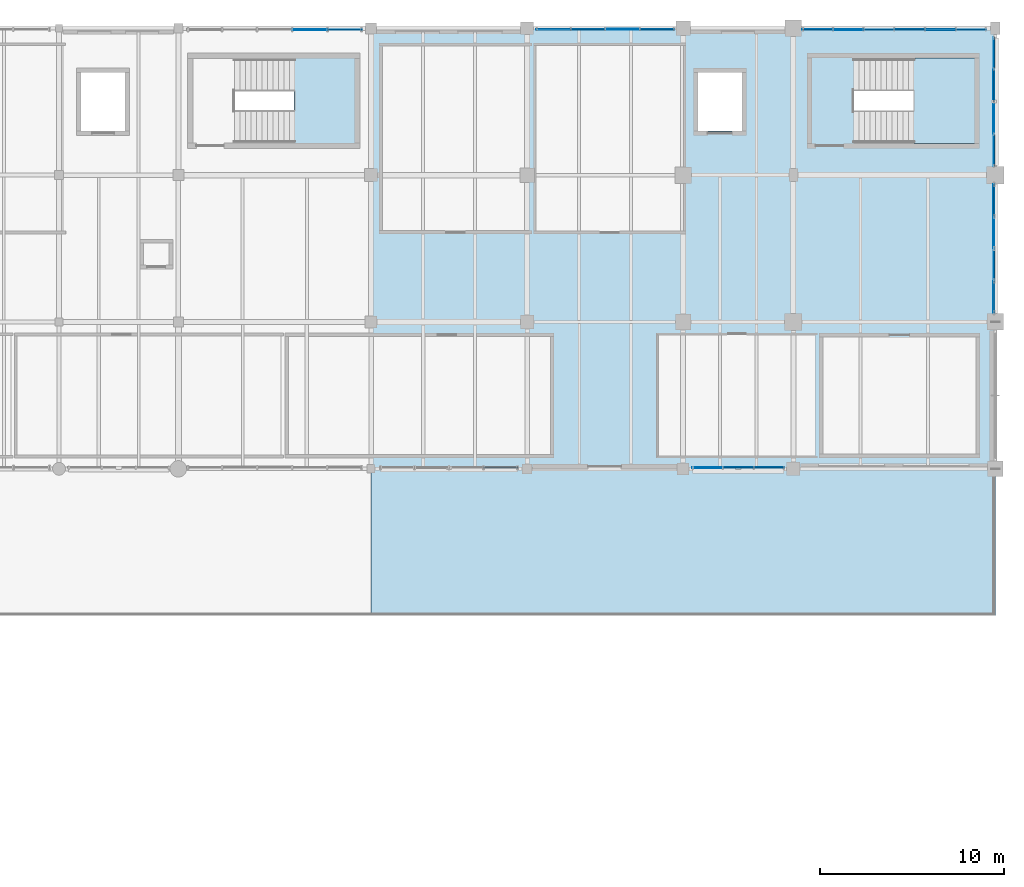
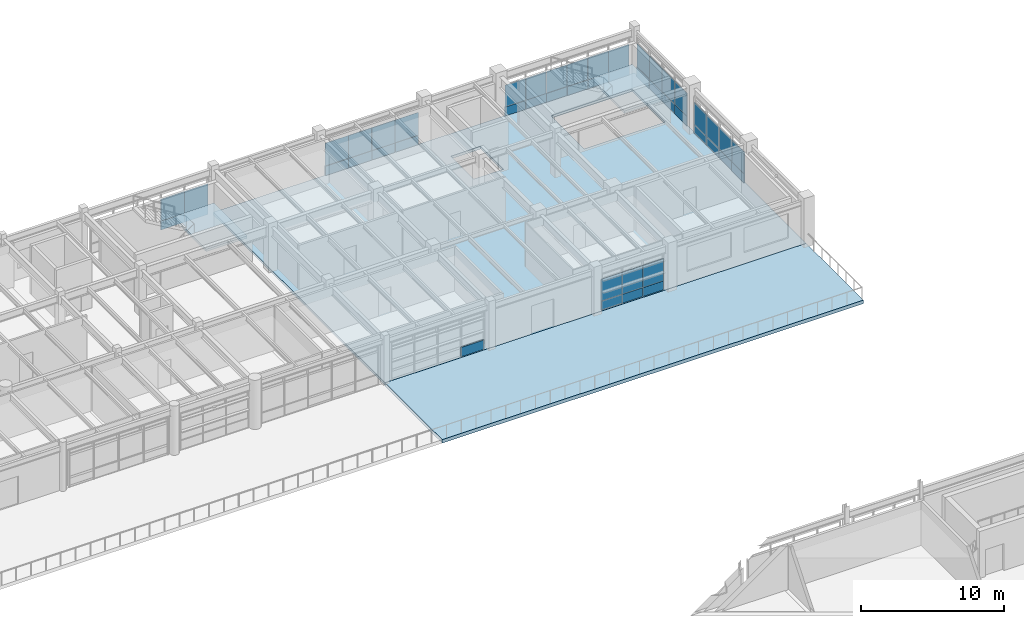
# One storey, part 45 of 56: 47 plates, 4 slabs, 9 elements without a shape of their own.
"""IFC4 building model written with IfcOpenShell, lengths in metres."""

from ifc_helpers import new_model, si_unit, direction, frame, origin, origin_2d, place, context, subcontext, project, spatial, polyline, rectangle, outline, extrude, material, layer, layer_set, type_object, element, aggregate, save


model = new_model("IFC4")

# Units and contexts
model_context = context("Model", 3, precision=1e-05, world=origin(), true_north=direction((0.0, 1.0)))
body_context = subcontext(model_context, "Body", "Model", "MODEL_VIEW")
ifc_project = project(units=[si_unit("LENGTHUNIT", "METRE"), si_unit("AREAUNIT", "SQUARE_METRE"), si_unit("VOLUMEUNIT", "CUBIC_METRE"), si_unit("PLANEANGLEUNIT", "RADIAN"), si_unit("MASSUNIT", "GRAM", prefix="KILO"), si_unit("THERMODYNAMICTEMPERATUREUNIT", "KELVIN"), si_unit("POWERUNIT", "WATT")], contexts=[model_context])

# Site, building, storey
site_placement = place(None, origin())
site = spatial("IfcSite", under=ifc_project, at=site_placement, CompositionType="ELEMENT")
building_placement = place(site_placement, origin())
building = spatial("IfcBuilding", under=site, at=building_placement, Name="Tepalcoro Natatorium and Aquatics Centre", CompositionType="ELEMENT")
storey_placement = place(building_placement, frame((0.0, 0.0, 14.800048828125)))
storey = spatial("IfcBuildingStorey", under=building, at=storey_placement, Name="L03", CompositionType="ELEMENT", Elevation=14.800048828125)

# Curtain wall, plate
ifc_material_1 = material(Name="Bronze-Anodised Extruded Aluminium Alloy EN AW-6063 T6", Category="aluminium")
curtain_wall_type_1 = type_object("IfcCurtainWallType", Name="CW_LEAN_T1_EW", PredefinedType="USERDEFINED", material=ifc_material_1)
curtain_wall_1_placement = place(storey_placement, origin())
curtain_wall_1 = element("IfcCurtainWall", 1, at=curtain_wall_1_placement, inside=storey, type_object=curtain_wall_type_1, Name="V5 L03 S Unitised Curtain Wall Bay 7", ObjectType="FACETED SOLAR GLAZING", PredefinedType="USERDEFINED")
ifc_material_2 = material(Name="Solar-Control Bronze Tempered Low-E Double Glazing", Category="glass")
ifc_layer_1 = layer(ifc_material_2, 0.048095703125)
ifc_layer_set_1 = layer_set([ifc_layer_1], Name="Solar-Control Bronze Tempered Low-E Double Glazing")
plate_type_1 = type_object("IfcPlateType", Name="PL_ACOUSTIC_IGU_48", PredefinedType="CURTAIN_PANEL", material=ifc_layer_set_1)
plate_1_placement = place(storey_placement, frame((163.679931640625, 94.0712890625, 0.804443359375), z_axis=(0.0, 0.0, 1.0), x_axis=(1.0, 0.0, 0.0)))
plate_1 = element("IfcPlate", 2, at=plate_1_placement, type_object=plate_type_1, Name="CW_LEAN_T1_EW Insulated Glazing Unit", PredefinedType="CURTAIN_PANEL", context=body_context, shape_type="SweptSolid", body=[
    extrude(rectangle(XDim=1.659912109375, YDim=0.048095703125, at=origin_2d()), origin(), (0.0, 0.0, 1.0), 1.85498046875),
])

curtain_wall_type_2 = type_object("IfcCurtainWallType", Name="CW_LEAN_T2_EW", PredefinedType="USERDEFINED", material=ifc_material_1)
curtain_wall_2_placement = place(storey_placement, origin())
curtain_wall_2 = element("IfcCurtainWall", 3, at=curtain_wall_2_placement, inside=storey, type_object=curtain_wall_type_2, Name="V5 L03 N Unitised Curtain Wall Bay 4", ObjectType="FACETED SOLAR GLAZING", PredefinedType="USERDEFINED")
plate_2_placement = place(storey_placement, frame((138.657958984375, 117.919921875, 0.804443359375), z_axis=(0.0, 0.0, 1.0), x_axis=(1.0, 0.0, 0.0)))
plate_2 = element("IfcPlate", 4, at=plate_2_placement, type_object=plate_type_1, Name="CW_LEAN_T2_EW Insulated Glazing Unit", PredefinedType="CURTAIN_PANEL", context=body_context, shape_type="SweptSolid", body=[
    extrude(rectangle(XDim=1.887939453125, YDim=0.048095703125, at=origin_2d()), origin(), (0.0, 0.0, 1.0), 1.85498046875),
])

curtain_wall_type_3 = type_object("IfcCurtainWallType", Name="CW_V2_DIVING", PredefinedType="USERDEFINED", material=ifc_material_1)
curtain_wall_3_placement = place(storey_placement, origin())
curtain_wall_3 = element("IfcCurtainWall", 5, at=curtain_wall_3_placement, inside=storey, type_object=curtain_wall_type_3, Name="V5 L03 N Unitised Curtain Wall Bay 6", ObjectType="FACETED SOLAR GLAZING", PredefinedType="USERDEFINED")
plate_3_placement = place(storey_placement, frame((155.6923828125, 117.93505859375, 0.84228515625), z_axis=(0.0, 0.0, 1.0), x_axis=(1.0, 0.0, 0.0)))
plate_3 = element("IfcPlate", 6, at=plate_3_placement, type_object=plate_type_1, Name="CW_V2_DIVING Insulated Glazing Unit", PredefinedType="CURTAIN_PANEL", context=body_context, shape_type="SweptSolid", body=[
    extrude(rectangle(XDim=1.864990234375, YDim=0.048095703125, at=origin_2d()), origin(), (0.0, 0.0, 1.0), 1.944580078125),
])

# Curtain wall, plates
curtain_wall_type_4 = type_object("IfcCurtainWallType", Name="CW_V4_VILLAGE", PredefinedType="USERDEFINED", material=ifc_material_1)
curtain_wall_4_placement = place(storey_placement, origin())
curtain_wall_4 = element("IfcCurtainWall", 7, at=curtain_wall_4_placement, inside=storey, type_object=curtain_wall_type_4, Name="V5 L03 N Unitised Curtain Wall Bay 8", ObjectType="UNITISED STOREFRONT", PredefinedType="USERDEFINED")
plate_4_placement = place(storey_placement, frame((167.989990234375, 117.923828125, 0.804443359375), z_axis=(0.0, 0.0, 1.0), x_axis=(1.0, 0.0, 0.0)))
plate_4 = element("IfcPlate", 8, at=plate_4_placement, type_object=plate_type_1, Name="CW_V4_VILLAGE Insulated Glazing Unit", PredefinedType="CURTAIN_PANEL", context=body_context, shape_type="SweptSolid", body=[
    extrude(rectangle(XDim=1.6533203125, YDim=0.048095703125, at=origin_2d()), origin(), (0.0, 0.0, 1.0), 1.85498046875),
])
plate_5_placement = place(storey_placement, frame((173.010009765625, 117.923828125, 0.804443359375), z_axis=(0.0, 0.0, 1.0), x_axis=(1.0, 0.0, 0.0)))
plate_5 = element("IfcPlate", 9, at=plate_5_placement, type_object=plate_type_1, Name="CW_V4_VILLAGE Insulated Glazing Unit", PredefinedType="CURTAIN_PANEL", context=body_context, shape_type="SweptSolid", body=[
    extrude(rectangle(XDim=1.6533203125, YDim=0.048095703125, at=origin_2d()), origin(), (0.0, 0.0, 1.0), 1.85498046875),
])

curtain_wall_type_5 = type_object("IfcCurtainWallType", Name="CW_LEAN_T2_NS", PredefinedType="USERDEFINED", material=ifc_material_1)
curtain_wall_5_placement = place(storey_placement, origin())
curtain_wall_5 = element("IfcCurtainWall", 10, at=curtain_wall_5_placement, inside=storey, type_object=curtain_wall_type_5, Name="V5 L03 E Unitised Curtain Wall Bay 2", ObjectType="FACETED SOLAR GLAZING", PredefinedType="USERDEFINED")
plate_6_placement = place(storey_placement, frame((175.923828125, 103.360107421875, 0.804443359375), z_axis=(0.0, 0.0, 1.0), x_axis=(1.0, 0.0, 0.0)))
plate_6 = element("IfcPlate", 11, at=plate_6_placement, type_object=plate_type_1, Name="CW_LEAN_T2_NS Insulated Glazing Unit", PredefinedType="CURTAIN_PANEL", context=body_context, shape_type="SweptSolid", body=[
    extrude(rectangle(XDim=0.048095703125, YDim=1.739990234375, at=origin_2d()), origin(), (0.0, 0.0, 1.0), 1.85498046875),
])
plate_7_placement = place(storey_placement, frame((175.923828125, 108.639892578125, 0.804443359375), z_axis=(0.0, 0.0, 1.0), x_axis=(1.0, 0.0, 0.0)))
plate_7 = element("IfcPlate", 12, at=plate_7_placement, type_object=plate_type_1, Name="CW_LEAN_T2_NS Insulated Glazing Unit", PredefinedType="CURTAIN_PANEL", context=body_context, shape_type="SweptSolid", body=[
    extrude(rectangle(XDim=0.048095703125, YDim=1.739990234375, at=origin_2d()), origin(), (0.0, 0.0, 1.0), 1.85498046875),
])

# Curtain wall, plate
curtain_wall_6_placement = place(storey_placement, origin())
curtain_wall_6 = element("IfcCurtainWall", 13, at=curtain_wall_6_placement, inside=storey, type_object=curtain_wall_type_2, Name="V5 L03 E Unitised Curtain Wall Bay 3", ObjectType="FACETED SOLAR GLAZING", PredefinedType="USERDEFINED")
plate_8_placement = place(storey_placement, frame((175.923828125, 114.8798828125, 0.85400390625), z_axis=(0.0, 0.0, 1.0), x_axis=(1.0, 0.0, 0.0)))
plate_8 = element("IfcPlate", 14, at=plate_8_placement, type_object=plate_type_1, Name="CW_LEAN_T2_EW Insulated Glazing Unit", PredefinedType="CURTAIN_PANEL", context=body_context, shape_type="SweptSolid", body=[
    extrude(rectangle(XDim=0.048095703125, YDim=1.739990234375, at=origin_2d()), origin(), (0.0, 0.0, 1.0), 1.972412109375),
])

# Plate
ifc_layer_2 = layer(ifc_material_2, 0.028076171875)
ifc_layer_set_2 = layer_set([ifc_layer_2], Name="Solar-Control Bronze Tempered Low-E Double Glazing")
plate_type_2 = type_object("IfcPlateType", Name="PL_BRONZE_IGU_28", PredefinedType="CURTAIN_PANEL", material=ifc_layer_set_2)
plate_9_placement = place(storey_placement, frame((162.0, 94.0712890625, 0.804443359375), z_axis=(0.0, 0.0, 1.0), x_axis=(1.0, 0.0, 0.0)))
plate_9 = element("IfcPlate", 15, at=plate_9_placement, type_object=plate_type_2, Name="CW_LEAN_T1_EW Insulated Glazing Unit", PredefinedType="CURTAIN_PANEL", context=body_context, shape_type="SweptSolid", body=[
    extrude(rectangle(XDim=1.659912109375, YDim=0.028076171875, at=origin_2d()), origin(), (0.0, 0.0, 1.0), 1.85498046875),
])

plate_10_placement = place(storey_placement, frame((153.8076171875, 117.93505859375, 0.84228515625), z_axis=(0.0, 0.0, 1.0), x_axis=(1.0, 0.0, 0.0)))
plate_10 = element("IfcPlate", 16, at=plate_10_placement, type_object=plate_type_2, Name="CW_V2_DIVING Insulated Glazing Unit", PredefinedType="CURTAIN_PANEL", context=body_context, shape_type="SweptSolid", body=[
    extrude(rectangle(XDim=1.864990234375, YDim=0.028076171875, at=origin_2d()), origin(), (0.0, 0.0, 1.0), 1.944580078125),
])

plate_11_placement = place(storey_placement, frame((166.316650390625, 117.923828125, 0.804443359375), z_axis=(0.0, 0.0, 1.0), x_axis=(1.0, 0.0, 0.0)))
plate_11 = element("IfcPlate", 17, at=plate_11_placement, type_object=plate_type_2, Name="CW_V4_VILLAGE Insulated Glazing Unit", PredefinedType="CURTAIN_PANEL", context=body_context, shape_type="SweptSolid", body=[
    extrude(rectangle(XDim=1.6533203125, YDim=0.028076171875, at=origin_2d()), origin(), (0.0, 0.0, 1.0), 1.85498046875),
])

plate_12_placement = place(storey_placement, frame((171.336669921875, 117.923828125, 0.804443359375), z_axis=(0.0, 0.0, 1.0), x_axis=(1.0, 0.0, 0.0)))
plate_12 = element("IfcPlate", 18, at=plate_12_placement, type_object=plate_type_2, Name="CW_V4_VILLAGE Insulated Glazing Unit", PredefinedType="CURTAIN_PANEL", context=body_context, shape_type="SweptSolid", body=[
    extrude(rectangle(XDim=1.6533203125, YDim=0.028076171875, at=origin_2d()), origin(), (0.0, 0.0, 1.0), 1.85498046875),
])

plate_13_placement = place(storey_placement, frame((175.923828125, 106.8798828125, 0.804443359375), z_axis=(0.0, 0.0, 1.0), x_axis=(1.0, 0.0, 0.0)))
plate_13 = element("IfcPlate", 19, at=plate_13_placement, type_object=plate_type_2, Name="CW_LEAN_T2_NS Insulated Glazing Unit", PredefinedType="CURTAIN_PANEL", context=body_context, shape_type="SweptSolid", body=[
    extrude(rectangle(XDim=0.028076171875, YDim=1.739990234375, at=origin_2d()), origin(), (0.0, 0.0, 1.0), 1.85498046875),
])

plate_14_placement = place(storey_placement, frame((175.923828125, 113.1201171875, 0.85400390625), z_axis=(0.0, 0.0, 1.0), x_axis=(1.0, 0.0, 0.0)))
plate_14 = element("IfcPlate", 20, at=plate_14_placement, type_object=plate_type_2, Name="CW_LEAN_T2_EW Insulated Glazing Unit", PredefinedType="CURTAIN_PANEL", context=body_context, shape_type="SweptSolid", body=[
    extrude(rectangle(XDim=0.028076171875, YDim=1.739990234375, at=origin_2d()), origin(), (0.0, 0.0, 1.0), 1.972412109375),
])

# Curtain wall, plate
curtain_wall_type_6 = type_object("IfcCurtainWallType", Name="CW_V5_UPPER", PredefinedType="USERDEFINED", material=ifc_material_1)
curtain_wall_7_placement = place(storey_placement, origin())
curtain_wall_7 = element("IfcCurtainWall", 21, at=curtain_wall_7_placement, inside=storey, type_object=curtain_wall_type_6, Name="V5 L03 S Unitised Curtain Wall Bay 5", ObjectType="FACETED SOLAR GLAZING", PredefinedType="USERDEFINED")
ifc_material_3 = material(Name="Jalisco Cantera Rosa Volcanic Tuff Ashlar Masonry", Category="masonry")
ifc_layer_3 = layer(ifc_material_3, 0.090087890625)
ifc_layer_set_3 = layer_set([ifc_layer_3], Name="Jalisco Cantera Rosa Volcanic Tuff Ashlar Masonry")
plate_type_3 = type_object("IfcPlateType", Name="PL_CANTERA_90", PredefinedType="SHEET", material=ifc_layer_set_3)
plate_15_placement = place(storey_placement, frame((149.077392578125, 94.0712890625, 0.044921875), z_axis=(0.0, 0.0, 1.0), x_axis=(1.0, 0.0, 0.0)))
plate_15 = element("IfcPlate", 22, at=plate_15_placement, type_object=plate_type_3, Name="CW_V5_UPPER Spandrel & Screen Panel", PredefinedType="SHEET", context=body_context, shape_type="SweptSolid", body=[
    extrude(rectangle(XDim=1.864990234375, YDim=0.090087890625, at=origin_2d()), origin(), (0.0, 0.0, 1.0), 0.79248046875),
])
aggregate(curtain_wall_7, [plate_15])

# Plate
plate_16_placement = place(storey_placement, frame((163.679931640625, 94.0712890625, 0.044921875), z_axis=(0.0, 0.0, 1.0), x_axis=(1.0, 0.0, 0.0)))
plate_16 = element("IfcPlate", 23, at=plate_16_placement, type_object=plate_type_3, Name="CW_LEAN_T1_EW Spandrel & Screen Panel", PredefinedType="SHEET", context=body_context, shape_type="SweptSolid", body=[
    extrude(rectangle(XDim=1.659912109375, YDim=0.090087890625, at=origin_2d()), origin(), (0.0, 0.0, 1.0), 0.75439453125),
])

plate_17_placement = place(storey_placement, frame((171.336669921875, 117.923828125, 0.044921875), z_axis=(0.0, 0.0, 1.0), x_axis=(1.0, 0.0, 0.0)))
plate_17 = element("IfcPlate", 24, at=plate_17_placement, type_object=plate_type_3, Name="CW_V4_VILLAGE Spandrel & Screen Panel", PredefinedType="SHEET", context=body_context, shape_type="SweptSolid", body=[
    extrude(rectangle(XDim=1.6533203125, YDim=0.090087890625, at=origin_2d()), origin(), (0.0, 0.0, 1.0), 0.75439453125),
])

plate_18_placement = place(storey_placement, frame((175.923828125, 116.639892578125, 0.044921875), z_axis=(0.0, 0.0, 1.0), x_axis=(1.0, 0.0, 0.0)))
plate_18 = element("IfcPlate", 25, at=plate_18_placement, type_object=plate_type_3, Name="CW_LEAN_T2_EW Spandrel & Screen Panel", PredefinedType="SHEET", context=body_context, shape_type="SweptSolid", body=[
    extrude(rectangle(XDim=0.090087890625, YDim=1.739990234375, at=origin_2d()), origin(), (0.0, 0.0, 1.0), 0.80419921875),
])

ifc_material_4 = material(Name="Clear Tempered Low-E Safety Glazing", Category="glass")
ifc_layer_4 = layer(ifc_material_4, 0.011962890625)
ifc_layer_set_4 = layer_set([ifc_layer_4], Name="Clear Tempered Low-E Safety Glazing")
plate_type_4 = type_object("IfcPlateType", Name="PL_GLASS_12", PredefinedType="CURTAIN_PANEL", material=ifc_layer_set_4)
plate_19_placement = place(storey_placement, frame((160.320068359375, 94.0712890625, 0.804443359375), z_axis=(0.0, 0.0, 1.0), x_axis=(1.0, 0.0, 0.0)))
plate_19 = element("IfcPlate", 26, at=plate_19_placement, type_object=plate_type_4, Name="CW_LEAN_T1_EW Insulated Glazing Unit", PredefinedType="CURTAIN_PANEL", context=body_context, shape_type="SweptSolid", body=[
    extrude(rectangle(XDim=1.659912109375, YDim=0.011962890625, at=origin_2d()), origin(), (0.0, 0.0, 1.0), 1.85498046875),
])

plate_20_placement = place(storey_placement, frame((140.56591796875, 117.919921875, 0.804443359375), z_axis=(0.0, 0.0, 1.0), x_axis=(1.0, 0.0, 0.0)))
plate_20 = element("IfcPlate", 27, at=plate_20_placement, type_object=plate_type_4, Name="CW_LEAN_T2_EW Insulated Glazing Unit", PredefinedType="CURTAIN_PANEL", context=body_context, shape_type="SweptSolid", body=[
    extrude(rectangle(XDim=1.887939453125, YDim=0.011962890625, at=origin_2d()), origin(), (0.0, 0.0, 1.0), 1.85498046875),
])

plate_21_placement = place(storey_placement, frame((151.922607421875, 117.93505859375, 0.84228515625), z_axis=(0.0, 0.0, 1.0), x_axis=(1.0, 0.0, 0.0)))
plate_21 = element("IfcPlate", 28, at=plate_21_placement, type_object=plate_type_4, Name="CW_V2_DIVING Insulated Glazing Unit", PredefinedType="CURTAIN_PANEL", context=body_context, shape_type="SweptSolid", body=[
    extrude(rectangle(XDim=1.864990234375, YDim=0.011962890625, at=origin_2d()), origin(), (0.0, 0.0, 1.0), 1.944580078125),
])

plate_22_placement = place(storey_placement, frame((157.577392578125, 117.93505859375, 0.84228515625), z_axis=(0.0, 0.0, 1.0), x_axis=(1.0, 0.0, 0.0)))
plate_22 = element("IfcPlate", 29, at=plate_22_placement, type_object=plate_type_4, Name="CW_V2_DIVING Insulated Glazing Unit", PredefinedType="CURTAIN_PANEL", context=body_context, shape_type="SweptSolid", body=[
    extrude(rectangle(XDim=1.864990234375, YDim=0.011962890625, at=origin_2d()), origin(), (0.0, 0.0, 1.0), 1.944580078125),
])

plate_23_placement = place(storey_placement, frame((169.663330078125, 117.923828125, 0.804443359375), z_axis=(0.0, 0.0, 1.0), x_axis=(1.0, 0.0, 0.0)))
plate_23 = element("IfcPlate", 30, at=plate_23_placement, type_object=plate_type_4, Name="CW_V4_VILLAGE Insulated Glazing Unit", PredefinedType="CURTAIN_PANEL", context=body_context, shape_type="SweptSolid", body=[
    extrude(rectangle(XDim=1.6533203125, YDim=0.011962890625, at=origin_2d()), origin(), (0.0, 0.0, 1.0), 1.85498046875),
])

plate_24_placement = place(storey_placement, frame((174.683349609375, 117.923828125, 0.804443359375), z_axis=(0.0, 0.0, 1.0), x_axis=(1.0, 0.0, 0.0)))
plate_24 = element("IfcPlate", 31, at=plate_24_placement, type_object=plate_type_4, Name="CW_V4_VILLAGE Insulated Glazing Unit", PredefinedType="CURTAIN_PANEL", context=body_context, shape_type="SweptSolid", body=[
    extrude(rectangle(XDim=1.6533203125, YDim=0.011962890625, at=origin_2d()), origin(), (0.0, 0.0, 1.0), 1.85498046875),
])

plate_25_placement = place(storey_placement, frame((175.923828125, 105.1201171875, 0.804443359375), z_axis=(0.0, 0.0, 1.0), x_axis=(1.0, 0.0, 0.0)))
plate_25 = element("IfcPlate", 32, at=plate_25_placement, type_object=plate_type_4, Name="CW_LEAN_T2_NS Insulated Glazing Unit", PredefinedType="CURTAIN_PANEL", context=body_context, shape_type="SweptSolid", body=[
    extrude(rectangle(XDim=0.011962890625, YDim=1.739990234375, at=origin_2d()), origin(), (0.0, 0.0, 1.0), 1.85498046875),
])

plate_26_placement = place(storey_placement, frame((175.923828125, 111.360107421875, 0.85400390625), z_axis=(0.0, 0.0, 1.0), x_axis=(1.0, 0.0, 0.0)))
plate_26 = element("IfcPlate", 33, at=plate_26_placement, type_object=plate_type_4, Name="CW_LEAN_T2_EW Insulated Glazing Unit", PredefinedType="CURTAIN_PANEL", context=body_context, shape_type="SweptSolid", body=[
    extrude(rectangle(XDim=0.011962890625, YDim=1.739990234375, at=origin_2d()), origin(), (0.0, 0.0, 1.0), 1.972412109375),
])

plate_27_placement = place(storey_placement, frame((175.923828125, 116.639892578125, 0.85400390625), z_axis=(0.0, 0.0, 1.0), x_axis=(1.0, 0.0, 0.0)))
plate_27 = element("IfcPlate", 34, at=plate_27_placement, type_object=plate_type_4, Name="CW_LEAN_T2_EW Insulated Glazing Unit", PredefinedType="CURTAIN_PANEL", context=body_context, shape_type="SweptSolid", body=[
    extrude(rectangle(XDim=0.011962890625, YDim=1.739990234375, at=origin_2d()), origin(), (0.0, 0.0, 1.0), 1.972412109375),
])

ifc_material_5 = material(Name="Volcanic Recinto Basalt Ashlar Masonry", Category="masonry")
ifc_layer_5 = layer(ifc_material_5, 0.110107421875)
ifc_layer_set_5 = layer_set([ifc_layer_5], Name="Volcanic Recinto Basalt Ashlar Masonry")
plate_type_5 = type_object("IfcPlateType", Name="PL_RECINTO_110", PredefinedType="SHEET", material=ifc_layer_set_5)
plate_28_placement = place(storey_placement, frame((151.922607421875, 117.93505859375, 0.044921875), z_axis=(0.0, 0.0, 1.0), x_axis=(1.0, 0.0, 0.0)))
plate_28 = element("IfcPlate", 35, at=plate_28_placement, type_object=plate_type_5, Name="CW_V2_DIVING Spandrel & Screen Panel", PredefinedType="SHEET", context=body_context, shape_type="SweptSolid", body=[
    extrude(rectangle(XDim=1.864990234375, YDim=0.110107421875, at=origin_2d()), origin(), (0.0, 0.0, 1.0), 0.79248046875),
])

plate_29_placement = place(storey_placement, frame((173.010009765625, 117.923828125, 0.044921875), z_axis=(0.0, 0.0, 1.0), x_axis=(1.0, 0.0, 0.0)))
plate_29 = element("IfcPlate", 36, at=plate_29_placement, type_object=plate_type_5, Name="CW_V4_VILLAGE Spandrel & Screen Panel", PredefinedType="SHEET", context=body_context, shape_type="SweptSolid", body=[
    extrude(rectangle(XDim=1.6533203125, YDim=0.110107421875, at=origin_2d()), origin(), (0.0, 0.0, 1.0), 0.75439453125),
])

plate_30_placement = place(storey_placement, frame((175.923828125, 103.360107421875, 0.044921875), z_axis=(0.0, 0.0, 1.0), x_axis=(1.0, 0.0, 0.0)))
plate_30 = element("IfcPlate", 37, at=plate_30_placement, type_object=plate_type_5, Name="CW_LEAN_T2_NS Spandrel & Screen Panel", PredefinedType="SHEET", context=body_context, shape_type="SweptSolid", body=[
    extrude(rectangle(XDim=0.110107421875, YDim=1.739990234375, at=origin_2d()), origin(), (0.0, 0.0, 1.0), 0.75439453125),
])

ifc_layer_6 = layer(ifc_material_1, 0.050048828125)
ifc_layer_set_6 = layer_set([ifc_layer_6], Name="Bronze-Anodised Extruded Aluminium Alloy EN AW-6063 T6")
plate_type_6 = type_object("IfcPlateType", Name="PL_SCREEN_50", PredefinedType="SHEET", material=ifc_layer_set_6)
plate_31_placement = place(storey_placement, frame((160.320068359375, 94.0712890625, 0.044921875), z_axis=(0.0, 0.0, 1.0), x_axis=(1.0, 0.0, 0.0)))
plate_31 = element("IfcPlate", 38, at=plate_31_placement, type_object=plate_type_6, Name="CW_LEAN_T1_EW Spandrel & Screen Panel", PredefinedType="SHEET", context=body_context, shape_type="SweptSolid", body=[
    extrude(rectangle(XDim=1.659912109375, YDim=0.050048828125, at=origin_2d()), origin(), (0.0, 0.0, 1.0), 0.75439453125),
])

plate_32_placement = place(storey_placement, frame((138.657958984375, 117.919921875, 0.044921875), z_axis=(0.0, 0.0, 1.0), x_axis=(1.0, 0.0, 0.0)))
plate_32 = element("IfcPlate", 39, at=plate_32_placement, type_object=plate_type_6, Name="CW_LEAN_T2_EW Spandrel & Screen Panel", PredefinedType="SHEET", context=body_context, shape_type="SweptSolid", body=[
    extrude(rectangle(XDim=1.887939453125, YDim=0.050048828125, at=origin_2d()), origin(), (0.0, 0.0, 1.0), 0.75439453125),
])

plate_33_placement = place(storey_placement, frame((155.6923828125, 117.93505859375, 0.044921875), z_axis=(0.0, 0.0, 1.0), x_axis=(1.0, 0.0, 0.0)))
plate_33 = element("IfcPlate", 40, at=plate_33_placement, type_object=plate_type_6, Name="CW_V2_DIVING Spandrel & Screen Panel", PredefinedType="SHEET", context=body_context, shape_type="SweptSolid", body=[
    extrude(rectangle(XDim=1.864990234375, YDim=0.050048828125, at=origin_2d()), origin(), (0.0, 0.0, 1.0), 0.79248046875),
])

plate_34_placement = place(storey_placement, frame((167.989990234375, 117.923828125, 0.044921875), z_axis=(0.0, 0.0, 1.0), x_axis=(1.0, 0.0, 0.0)))
plate_34 = element("IfcPlate", 41, at=plate_34_placement, type_object=plate_type_6, Name="CW_V4_VILLAGE Spandrel & Screen Panel", PredefinedType="SHEET", context=body_context, shape_type="SweptSolid", body=[
    extrude(rectangle(XDim=1.6533203125, YDim=0.050048828125, at=origin_2d()), origin(), (0.0, 0.0, 1.0), 0.75439453125),
])

plate_35_placement = place(storey_placement, frame((175.923828125, 106.8798828125, 0.044921875), z_axis=(0.0, 0.0, 1.0), x_axis=(1.0, 0.0, 0.0)))
plate_35 = element("IfcPlate", 42, at=plate_35_placement, type_object=plate_type_6, Name="CW_LEAN_T2_NS Spandrel & Screen Panel", PredefinedType="SHEET", context=body_context, shape_type="SweptSolid", body=[
    extrude(rectangle(XDim=0.050048828125, YDim=1.739990234375, at=origin_2d()), origin(), (0.0, 0.0, 1.0), 0.75439453125),
])

plate_36_placement = place(storey_placement, frame((175.923828125, 113.1201171875, 0.044921875), z_axis=(0.0, 0.0, 1.0), x_axis=(1.0, 0.0, 0.0)))
plate_36 = element("IfcPlate", 43, at=plate_36_placement, type_object=plate_type_6, Name="CW_LEAN_T2_EW Spandrel & Screen Panel", PredefinedType="SHEET", context=body_context, shape_type="SweptSolid", body=[
    extrude(rectangle(XDim=0.050048828125, YDim=1.739990234375, at=origin_2d()), origin(), (0.0, 0.0, 1.0), 0.80419921875),
])

ifc_layer_7 = layer(ifc_material_1, 0.06005859375)
ifc_layer_set_7 = layer_set([ifc_layer_7], Name="Bronze-Anodised Extruded Aluminium Alloy EN AW-6063 T6")
plate_type_7 = type_object("IfcPlateType", Name="PL_SCREEN_60", PredefinedType="SHEET", material=ifc_layer_set_7)
plate_37_placement = place(storey_placement, frame((162.0, 94.0712890625, 0.044921875), z_axis=(0.0, 0.0, 1.0), x_axis=(1.0, 0.0, 0.0)))
plate_37 = element("IfcPlate", 44, at=plate_37_placement, type_object=plate_type_7, Name="CW_LEAN_T1_EW Spandrel & Screen Panel", PredefinedType="SHEET", context=body_context, shape_type="SweptSolid", body=[
    extrude(rectangle(XDim=1.659912109375, YDim=0.06005859375, at=origin_2d()), origin(), (0.0, 0.0, 1.0), 0.75439453125),
])

aggregate(curtain_wall_1, [plate_19, plate_31, plate_9, plate_37, plate_1, plate_16])

plate_38_placement = place(storey_placement, frame((140.56591796875, 117.919921875, 0.044921875), z_axis=(0.0, 0.0, 1.0), x_axis=(1.0, 0.0, 0.0)))
plate_38 = element("IfcPlate", 45, at=plate_38_placement, type_object=plate_type_7, Name="CW_LEAN_T2_EW Spandrel & Screen Panel", PredefinedType="SHEET", context=body_context, shape_type="SweptSolid", body=[
    extrude(rectangle(XDim=1.887939453125, YDim=0.06005859375, at=origin_2d()), origin(), (0.0, 0.0, 1.0), 0.75439453125),
])

aggregate(curtain_wall_2, [plate_2, plate_32, plate_20, plate_38])

plate_39_placement = place(storey_placement, frame((157.577392578125, 117.93505859375, 0.044921875), z_axis=(0.0, 0.0, 1.0), x_axis=(1.0, 0.0, 0.0)))
plate_39 = element("IfcPlate", 46, at=plate_39_placement, type_object=plate_type_7, Name="CW_V2_DIVING Spandrel & Screen Panel", PredefinedType="SHEET", context=body_context, shape_type="SweptSolid", body=[
    extrude(rectangle(XDim=1.864990234375, YDim=0.06005859375, at=origin_2d()), origin(), (0.0, 0.0, 1.0), 0.79248046875),
])

plate_40_placement = place(storey_placement, frame((169.663330078125, 117.923828125, 0.044921875), z_axis=(0.0, 0.0, 1.0), x_axis=(1.0, 0.0, 0.0)))
plate_40 = element("IfcPlate", 47, at=plate_40_placement, type_object=plate_type_7, Name="CW_V4_VILLAGE Spandrel & Screen Panel", PredefinedType="SHEET", context=body_context, shape_type="SweptSolid", body=[
    extrude(rectangle(XDim=1.6533203125, YDim=0.06005859375, at=origin_2d()), origin(), (0.0, 0.0, 1.0), 0.75439453125),
])

plate_41_placement = place(storey_placement, frame((175.923828125, 108.639892578125, 0.044921875), z_axis=(0.0, 0.0, 1.0), x_axis=(1.0, 0.0, 0.0)))
plate_41 = element("IfcPlate", 48, at=plate_41_placement, type_object=plate_type_7, Name="CW_LEAN_T2_NS Spandrel & Screen Panel", PredefinedType="SHEET", context=body_context, shape_type="SweptSolid", body=[
    extrude(rectangle(XDim=0.06005859375, YDim=1.739990234375, at=origin_2d()), origin(), (0.0, 0.0, 1.0), 0.75439453125),
])

plate_42_placement = place(storey_placement, frame((175.923828125, 114.8798828125, 0.044921875), z_axis=(0.0, 0.0, 1.0), x_axis=(1.0, 0.0, 0.0)))
plate_42 = element("IfcPlate", 49, at=plate_42_placement, type_object=plate_type_7, Name="CW_LEAN_T2_EW Spandrel & Screen Panel", PredefinedType="SHEET", context=body_context, shape_type="SweptSolid", body=[
    extrude(rectangle(XDim=0.06005859375, YDim=1.739990234375, at=origin_2d()), origin(), (0.0, 0.0, 1.0), 0.80419921875),
])

ifc_material_6 = material(Name="Insulated Bronze Anodised Aluminium Spandrel Panel", Category="aluminium")
ifc_layer_8 = layer(ifc_material_6, 0.070068359375)
ifc_layer_set_8 = layer_set([ifc_layer_8], Name="Insulated Bronze Anodised Aluminium Spandrel Panel")
plate_type_8 = type_object("IfcPlateType", Name="PL_SPANDREL_70", PredefinedType="CURTAIN_PANEL", material=ifc_layer_set_8)
plate_43_placement = place(storey_placement, frame((153.8076171875, 117.93505859375, 0.044921875), z_axis=(0.0, 0.0, 1.0), x_axis=(1.0, 0.0, 0.0)))
plate_43 = element("IfcPlate", 50, at=plate_43_placement, type_object=plate_type_8, Name="CW_V2_DIVING Spandrel & Screen Panel", PredefinedType="CURTAIN_PANEL", context=body_context, shape_type="SweptSolid", body=[
    extrude(rectangle(XDim=1.864990234375, YDim=0.070068359375, at=origin_2d()), origin(), (0.0, 0.0, 1.0), 0.79248046875),
])

aggregate(curtain_wall_3, [plate_21, plate_28, plate_10, plate_43, plate_3, plate_33, plate_22, plate_39])

plate_44_placement = place(storey_placement, frame((166.316650390625, 117.923828125, 0.044921875), z_axis=(0.0, 0.0, 1.0), x_axis=(1.0, 0.0, 0.0)))
plate_44 = element("IfcPlate", 51, at=plate_44_placement, type_object=plate_type_8, Name="CW_V4_VILLAGE Spandrel & Screen Panel", PredefinedType="CURTAIN_PANEL", context=body_context, shape_type="SweptSolid", body=[
    extrude(rectangle(XDim=1.6533203125, YDim=0.070068359375, at=origin_2d()), origin(), (0.0, 0.0, 1.0), 0.75439453125),
])

plate_45_placement = place(storey_placement, frame((174.683349609375, 117.923828125, 0.044921875), z_axis=(0.0, 0.0, 1.0), x_axis=(1.0, 0.0, 0.0)))
plate_45 = element("IfcPlate", 52, at=plate_45_placement, type_object=plate_type_8, Name="CW_V4_VILLAGE Spandrel & Screen Panel", PredefinedType="CURTAIN_PANEL", context=body_context, shape_type="SweptSolid", body=[
    extrude(rectangle(XDim=1.6533203125, YDim=0.070068359375, at=origin_2d()), origin(), (0.0, 0.0, 1.0), 0.75439453125),
])

aggregate(curtain_wall_4, [plate_11, plate_44, plate_4, plate_34, plate_23, plate_40, plate_12, plate_17, plate_5, plate_29, plate_24, plate_45])

plate_46_placement = place(storey_placement, frame((175.923828125, 105.1201171875, 0.044921875), z_axis=(0.0, 0.0, 1.0), x_axis=(1.0, 0.0, 0.0)))
plate_46 = element("IfcPlate", 53, at=plate_46_placement, type_object=plate_type_8, Name="CW_LEAN_T2_NS Spandrel & Screen Panel", PredefinedType="CURTAIN_PANEL", context=body_context, shape_type="SweptSolid", body=[
    extrude(rectangle(XDim=0.070068359375, YDim=1.739990234375, at=origin_2d()), origin(), (0.0, 0.0, 1.0), 0.75439453125),
])

aggregate(curtain_wall_5, [plate_6, plate_30, plate_25, plate_46, plate_13, plate_35, plate_7, plate_41])

plate_47_placement = place(storey_placement, frame((175.923828125, 111.360107421875, 0.044921875), z_axis=(0.0, 0.0, 1.0), x_axis=(1.0, 0.0, 0.0)))
plate_47 = element("IfcPlate", 54, at=plate_47_placement, type_object=plate_type_8, Name="CW_LEAN_T2_EW Spandrel & Screen Panel", PredefinedType="CURTAIN_PANEL", context=body_context, shape_type="SweptSolid", body=[
    extrude(rectangle(XDim=0.070068359375, YDim=1.739990234375, at=origin_2d()), origin(), (0.0, 0.0, 1.0), 0.80419921875),
])

aggregate(curtain_wall_6, [plate_26, plate_47, plate_14, plate_36, plate_8, plate_42, plate_27, plate_18])

# Slab
ifc_material_7 = material(Name="Concrete C35/45 (fc 35 MPa)", Category="concrete")
ifc_layer_9 = layer(ifc_material_7, 0.219970703125)
ifc_layer_set_9 = layer_set([ifc_layer_9], Name="Concrete C35/45 (fc 35 MPa)")
slab_type_1 = type_object("IfcSlabType", Name="SL_FLOOR_220", PredefinedType="FLOOR", material=ifc_layer_set_9)
slab_1_placement = place(storey_placement, frame((0.0, 0.0, -0.219970703125)))
element("IfcSlab", 55, at=slab_1_placement, inside=storey, type_object=slab_type_1, Name="V5 L03 Natatorium and Civic Floor Slab E", PredefinedType="FLOOR", context=body_context, shape_type="SweptSolid", body=[
    extrude(outline(polyline([(176.0, 118.0), (176.0, 94.0), (142.0, 94.0), (142.0, 118.0), (176.0, 118.0)]), holes=[polyline([(174.8701171875, 111.72998046875), (174.8701171875, 116.3701171875), (168.31005859375, 116.3701171875), (168.31005859375, 111.72998046875), (174.8701171875, 111.72998046875)]), polyline([(159.800048828125, 115.60009765625), (159.800048828125, 112.39990234375), (162.199951171875, 112.39990234375), (162.199951171875, 115.60009765625), (159.800048828125, 115.60009765625)])]), origin(), (0.0, 0.0, 1.0), 0.219970703125),
])

# Stair, slab
stair_type_1 = type_object("IfcStairType", Name="ST_RC_1800_L00", PredefinedType="HALF_TURN_STAIR", material=ifc_material_7)
stair_1_placement = place(storey_placement, origin())
stair_1 = element("IfcStair", 56, at=stair_1_placement, inside=storey, type_object=stair_type_1, Name="Wellness & Broadcast West Fire Stair (L03 to L04)", PredefinedType="HALF_TURN_STAIR")
ifc_layer_10 = layer(ifc_material_7, 0.199951171875)
ifc_layer_set_10 = layer_set([ifc_layer_10], Name="Concrete C35/45 (fc 35 MPa)")
slab_type_2 = type_object("IfcSlabType", Name="SL_LANDING_200", PredefinedType="LANDING", material=ifc_layer_set_10)
slab_2_placement = place(storey_placement, frame((0.0, 0.0, 1.89990234375)))
slab_2 = element("IfcSlab", 57, at=slab_2_placement, type_object=slab_type_2, Name="Wellness & Broadcast West Fire Stair (L03 to L04) Half-Landing", PredefinedType="LANDING", context=body_context, shape_type="SweptSolid", body=[
    extrude(outline(polyline([(137.81005859375, 111.72998046875), (141.1201171875, 111.72998046875), (141.1201171875, 116.3701171875), (137.81005859375, 116.3701171875), (137.81005859375, 111.72998046875)])), origin(), (0.0, 0.0, 1.0), 0.199951171875),
])
aggregate(stair_1, [slab_2])

stair_type_2 = type_object("IfcStairType", Name="ST_RC_1800_L01", PredefinedType="HALF_TURN_STAIR", material=ifc_material_7)
stair_2_placement = place(storey_placement, origin())
stair_2 = element("IfcStair", 58, at=stair_2_placement, inside=storey, type_object=stair_type_2, Name="Wellness & Broadcast East Fire Stair (L03 to L04)", PredefinedType="HALF_TURN_STAIR")
slab_3_placement = place(storey_placement, frame((0.0, 0.0, 1.89990234375)))
slab_3 = element("IfcSlab", 59, at=slab_3_placement, type_object=slab_type_2, Name="Wellness & Broadcast East Fire Stair (L03 to L04) Half-Landing", PredefinedType="LANDING", context=body_context, shape_type="SweptSolid", body=[
    extrude(outline(polyline([(171.5400390625, 111.7099609375), (174.889892578125, 111.7099609375), (174.889892578125, 116.389892578125), (171.5400390625, 116.389892578125), (171.5400390625, 111.7099609375)])), origin(), (0.0, 0.0, 1.0), 0.199951171875),
])
aggregate(stair_2, [slab_3])

# Slab
ifc_layer_11 = layer(ifc_material_7, 0.300048828125)
ifc_layer_set_11 = layer_set([ifc_layer_11], Name="Concrete C35/45 (fc 35 MPa)")
slab_type_3 = type_object("IfcSlabType", Name="SL_TERRACE_300", PredefinedType="FLOOR", material=ifc_layer_set_11)
slab_4_placement = place(storey_placement, frame((0.0, 0.0, -0.300048828125)))
element("IfcSlab", 60, at=slab_4_placement, inside=storey, type_object=slab_type_3, Name="V5 L03 Planted Thermal Spa Terrace E", PredefinedType="FLOOR", context=body_context, shape_type="SweptSolid", body=[
    extrude(outline(polyline([(142.0, 86.0), (142.0, 94.0), (176.0, 94.0), (176.0, 86.0), (142.0, 86.0)])), origin(), (0.0, 0.0, 1.0), 0.300048828125),
])

save(model, "model.ifc")
